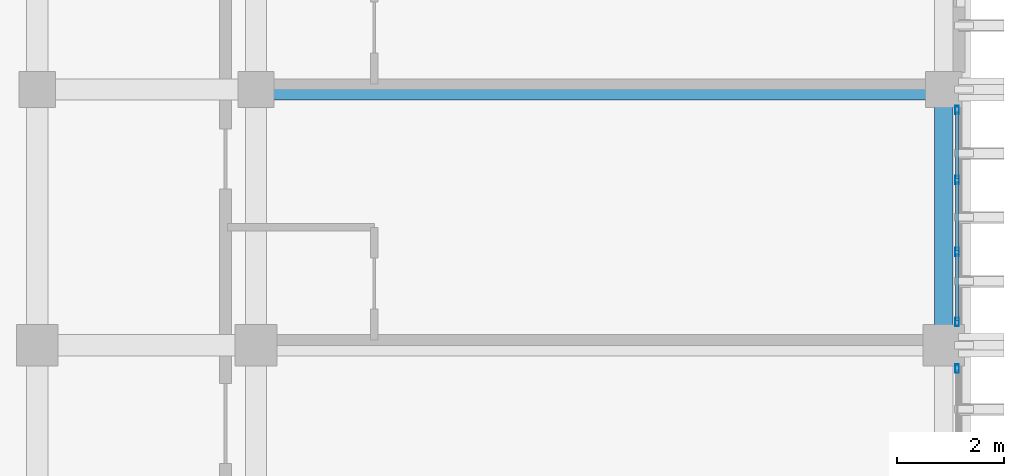
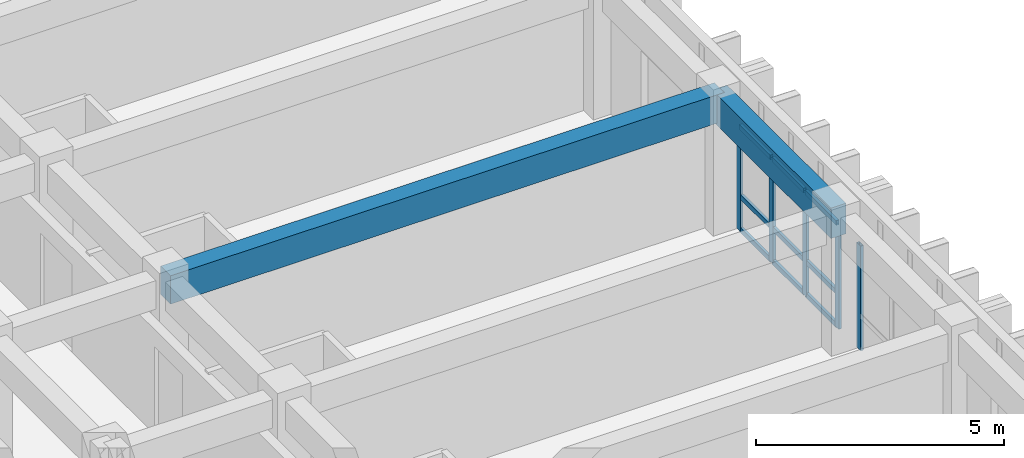
# One storey, part 47 of 68: 14 members, 2 beams, 2 elements without a shape of their own.
"""IFC4 building model written with IfcOpenShell, lengths in metres."""

from ifc_helpers import new_model, si_unit, direction, frame, origin, origin_2d, place, context, subcontext, project, spatial, rectangle, hollow_rectangle, extrude, material, layer, layer_set, material_profile, profile_set, type_object, element, aggregate, save


model = new_model("IFC4")

# Units and contexts
model_context = context("Model", 3, precision=1e-05, world=origin(), true_north=direction((0.0, 1.0)))
body_context = subcontext(model_context, "Body", "Model", "MODEL_VIEW")
ifc_project = project(units=[si_unit("LENGTHUNIT", "METRE"), si_unit("AREAUNIT", "SQUARE_METRE"), si_unit("VOLUMEUNIT", "CUBIC_METRE"), si_unit("PLANEANGLEUNIT", "RADIAN"), si_unit("MASSUNIT", "GRAM", prefix="KILO")], contexts=[model_context])

# Site, building, storey
site_placement = place(None, origin())
site = spatial("IfcSite", under=ifc_project, at=site_placement, CompositionType="ELEMENT")
building_placement = place(site_placement, origin())
building = spatial("IfcBuilding", under=site, at=building_placement, Name="Nakhvara Creek Congress Hotel", CompositionType="ELEMENT")
storey_placement = place(building_placement, frame((0.0, 0.0, 24.60009765625)))
storey = spatial("IfcBuildingStorey", under=building, at=storey_placement, Name="L05", CompositionType="ELEMENT", Elevation=24.60009765625)

# Beams
ifc_material_1 = material(Name="Concrete C40/50", Category="concrete")
ifc_material_profile_1 = material_profile(ifc_material_1, rectangle(XDim=0.39990234375, YDim=0.699951171875, at=origin_2d()), Name="RC-BM 400x700", Category="LoadBearing")
ifc_profile_set_1 = profile_set([ifc_material_profile_1], Name="Concrete C40/50")
beam_type_1 = type_object("IfcBeamType", Name="BM-RC-400X700", PredefinedType="BEAM", material=ifc_profile_set_1)
beam_1_placement = place(storey_placement, frame((166.449951171875, 110.39990234375, 2.989990234375), z_axis=(1.0, 0.0, 0.0), x_axis=(0.0, 1.0, 0.0)))
element("IfcBeam", 1, at=beam_1_placement, inside=storey, type_object=beam_type_1, Name="Beam B05-L05-2191", PredefinedType="BEAM", context=body_context, shape_type="SweptSolid", body=[
    extrude(rectangle(XDim=0.39990234375, YDim=0.699951171875, at=origin_2d()), origin(), (0.0, 0.0, 1.0), 12.900146484375),
])
ifc_material_profile_2 = material_profile(ifc_material_1, rectangle(XDim=0.35009765625, YDim=0.75, at=origin_2d()), Name="RC-SPANDREL 350x750", Category="LoadBearing")
ifc_profile_set_2 = profile_set([ifc_material_profile_2], Name="Concrete C40/50")
beam_type_2 = type_object("IfcBeamType", Name="BM-SPN-350X750", PredefinedType="SPANDREL", material=ifc_profile_set_2)
beam_2_placement = place(storey_placement, frame((179.35009765625, 105.60009765625, 2.96484375), z_axis=(0.0, 1.0, 0.0), x_axis=(-1.0, 0.0, 0.0)))
element("IfcBeam", 2, at=beam_2_placement, inside=storey, type_object=beam_type_2, Name="Beam SP1-L05-2163", PredefinedType="SPANDREL", context=body_context, shape_type="SweptSolid", body=[
    extrude(rectangle(XDim=0.35009765625, YDim=0.75, at=origin_2d()), origin(), (0.0, 0.0, 1.0), 4.7998046875),
])

# Curtain wall, member
ifc_material_2 = material(Name="Bronze-anodised aluminium AW-6063-T6 and double-silver low-E glass", Category="aluminium")
ifc_layer = layer(ifc_material_2, 0.199951171875)
ifc_layer_set = layer_set([ifc_layer], Name="Bronze-anodised aluminium AW-6063-T6 and double-silver low-E glass")
curtain_wall_type = type_object("IfcCurtainWallType", Name="CW-HTL-UNIT", PredefinedType="USERDEFINED", material=ifc_layer_set)
curtain_wall_1_placement = place(storey_placement, origin())
curtain_wall_1 = element("IfcCurtainWall", 3, at=curtain_wall_1_placement, inside=storey, type_object=curtain_wall_type, Name="Curtain Wall CW222", ObjectType="UNITISED", PredefinedType="USERDEFINED")
ifc_material_3 = material(Name="Bronze-anodised aluminium AW-6063-T6", Category="aluminium")
ifc_material_profile_3 = material_profile(ifc_material_3, hollow_rectangle(XDim=0.06494140625, YDim=0.159912109375, WallThickness=0.00390625, at=origin_2d()), Name="ALU-MULL 65x160x4", Category="LoadBearing")
ifc_profile_set_3 = profile_set([ifc_material_profile_3], Name="Bronze-anodised aluminium AW-6063-T6")
member_type_1 = type_object("IfcMemberType", Name="CW-MULL-160", PredefinedType="MULLION", material=ifc_profile_set_3)
member_1_placement = place(storey_placement, frame((179.60009765625, 105.16259765625, 0.0), z_axis=(0.0, 0.0, 1.0), x_axis=(1.0, 0.0, 0.0)))
member_1 = element("IfcMember", 4, at=member_1_placement, type_object=member_type_1, Name="CW222 mullion 1", PredefinedType="MULLION", context=body_context, shape_type="SweptSolid", body=[
    extrude(hollow_rectangle(XDim=0.06494140625, YDim=0.159912109375, WallThickness=0.00390625, at=origin_2d()), origin(), (0.0, 0.0, 1.0), 2.581787109375),
])
aggregate(curtain_wall_1, [member_1])

# Curtain wall, members
curtain_wall_2_placement = place(storey_placement, origin())
curtain_wall_2 = element("IfcCurtainWall", 5, at=curtain_wall_2_placement, inside=storey, type_object=curtain_wall_type, Name="Curtain Wall CW224", ObjectType="UNITISED", PredefinedType="USERDEFINED")
member_2_placement = place(storey_placement, frame((179.60009765625, 110.012451171875, 0.0), z_axis=(0.0, 0.0, 1.0), x_axis=(1.0, 0.0, 0.0)))
member_2 = element("IfcMember", 6, at=member_2_placement, type_object=member_type_1, Name="CW224 mullion 1", PredefinedType="MULLION", context=body_context, shape_type="SweptSolid", body=[
    extrude(hollow_rectangle(XDim=0.06494140625, YDim=0.159912109375, WallThickness=0.00390625, at=origin_2d()), origin(), (0.0, 0.0, 1.0), 2.581787109375),
])
member_3_placement = place(storey_placement, frame((179.60009765625, 108.6982421875, 0.0), z_axis=(0.0, 0.0, 1.0), x_axis=(1.0, 0.0, 0.0)))
member_3 = element("IfcMember", 7, at=member_3_placement, type_object=member_type_1, Name="CW224 mullion 2", PredefinedType="MULLION", context=body_context, shape_type="SweptSolid", body=[
    extrude(hollow_rectangle(XDim=0.06494140625, YDim=0.159912109375, WallThickness=0.00390625, at=origin_2d()), origin(), (0.0, 0.0, 1.0), 2.581787109375),
])
member_4_placement = place(storey_placement, frame((179.60009765625, 107.3515625, 0.0), z_axis=(0.0, 0.0, 1.0), x_axis=(1.0, 0.0, 0.0)))
member_4 = element("IfcMember", 8, at=member_4_placement, type_object=member_type_1, Name="CW224 mullion 3", PredefinedType="MULLION", context=body_context, shape_type="SweptSolid", body=[
    extrude(hollow_rectangle(XDim=0.06494140625, YDim=0.159912109375, WallThickness=0.00390625, at=origin_2d()), origin(), (0.0, 0.0, 1.0), 2.581787109375),
])
member_5_placement = place(storey_placement, frame((179.60009765625, 106.03759765625, 0.0), z_axis=(0.0, 0.0, 1.0), x_axis=(1.0, 0.0, 0.0)))
member_5 = element("IfcMember", 9, at=member_5_placement, type_object=member_type_1, Name="CW224 mullion 4", PredefinedType="MULLION", context=body_context, shape_type="SweptSolid", body=[
    extrude(hollow_rectangle(XDim=0.06494140625, YDim=0.159912109375, WallThickness=0.00390625, at=origin_2d()), origin(), (0.0, 0.0, 1.0), 2.581787109375),
])
ifc_material_profile_4 = material_profile(ifc_material_3, hollow_rectangle(XDim=0.06494140625, YDim=0.1201171875, WallThickness=0.00390625, at=origin_2d()), Name="ALU-TRAN 65x120x4", Category="LoadBearing")
ifc_profile_set_4 = profile_set([ifc_material_profile_4], Name="Bronze-anodised aluminium AW-6063-T6")
member_type_2 = type_object("IfcMemberType", Name="CW-TRAN-120", PredefinedType="USERDEFINED", material=ifc_profile_set_4)
member_6_placement = place(storey_placement, frame((179.60009765625, 109.97998046875, 0.032470703125), z_axis=(0.0, -1.0, 0.0), x_axis=(1.0, 0.0, 0.0)))
member_6 = element("IfcMember", 10, at=member_6_placement, type_object=member_type_2, Name="CW224 transom 1.1", ObjectType="TRANSOM", PredefinedType="USERDEFINED", context=body_context, shape_type="SweptSolid", body=[
    extrude(hollow_rectangle(XDim=0.06494140625, YDim=0.1201171875, WallThickness=0.00390625, at=origin_2d()), origin(), (0.0, 0.0, 1.0), 1.249267578125),
])
member_7_placement = place(storey_placement, frame((179.60009765625, 109.97998046875, 0.849853515625), z_axis=(0.0, -1.0, 0.0), x_axis=(1.0, 0.0, 0.0)))
member_7 = element("IfcMember", 11, at=member_7_placement, type_object=member_type_2, Name="CW224 transom 1.2", ObjectType="TRANSOM", PredefinedType="USERDEFINED", context=body_context, shape_type="SweptSolid", body=[
    extrude(hollow_rectangle(XDim=0.06494140625, YDim=0.1201171875, WallThickness=0.00390625, at=origin_2d()), origin(), (0.0, 0.0, 1.0), 1.249267578125),
])
member_8_placement = place(storey_placement, frame((179.60009765625, 109.97998046875, 2.54931640625), z_axis=(0.0, -1.0, 0.0), x_axis=(1.0, 0.0, 0.0)))
member_8 = element("IfcMember", 12, at=member_8_placement, type_object=member_type_2, Name="CW224 transom 1.3", ObjectType="TRANSOM", PredefinedType="USERDEFINED", context=body_context, shape_type="SweptSolid", body=[
    extrude(hollow_rectangle(XDim=0.06494140625, YDim=0.1201171875, WallThickness=0.00390625, at=origin_2d()), origin(), (0.0, 0.0, 1.0), 1.249267578125),
])
member_9_placement = place(storey_placement, frame((179.60009765625, 108.665771484375, 0.032470703125), z_axis=(0.0, -1.0, 0.0), x_axis=(1.0, 0.0, 0.0)))
member_9 = element("IfcMember", 13, at=member_9_placement, type_object=member_type_2, Name="CW224 transom 2.1", ObjectType="TRANSOM", PredefinedType="USERDEFINED", context=body_context, shape_type="SweptSolid", body=[
    extrude(hollow_rectangle(XDim=0.06494140625, YDim=0.1201171875, WallThickness=0.00390625, at=origin_2d()), origin(), (0.0, 0.0, 1.0), 1.281494140625),
])
member_10_placement = place(storey_placement, frame((179.60009765625, 108.665771484375, 0.849853515625), z_axis=(0.0, -1.0, 0.0), x_axis=(1.0, 0.0, 0.0)))
member_10 = element("IfcMember", 14, at=member_10_placement, type_object=member_type_2, Name="CW224 transom 2.2", ObjectType="TRANSOM", PredefinedType="USERDEFINED", context=body_context, shape_type="SweptSolid", body=[
    extrude(hollow_rectangle(XDim=0.06494140625, YDim=0.1201171875, WallThickness=0.00390625, at=origin_2d()), origin(), (0.0, 0.0, 1.0), 1.281494140625),
])
member_11_placement = place(storey_placement, frame((179.60009765625, 108.665771484375, 2.54931640625), z_axis=(0.0, -1.0, 0.0), x_axis=(1.0, 0.0, 0.0)))
member_11 = element("IfcMember", 15, at=member_11_placement, type_object=member_type_2, Name="CW224 transom 2.3", ObjectType="TRANSOM", PredefinedType="USERDEFINED", context=body_context, shape_type="SweptSolid", body=[
    extrude(hollow_rectangle(XDim=0.06494140625, YDim=0.1201171875, WallThickness=0.00390625, at=origin_2d()), origin(), (0.0, 0.0, 1.0), 1.281494140625),
])
member_12_placement = place(storey_placement, frame((179.60009765625, 107.319091796875, 0.032470703125), z_axis=(0.0, -1.0, 0.0), x_axis=(1.0, 0.0, 0.0)))
member_12 = element("IfcMember", 16, at=member_12_placement, type_object=member_type_2, Name="CW224 transom 3.1", ObjectType="TRANSOM", PredefinedType="USERDEFINED", context=body_context, shape_type="SweptSolid", body=[
    extrude(hollow_rectangle(XDim=0.06494140625, YDim=0.1201171875, WallThickness=0.00390625, at=origin_2d()), origin(), (0.0, 0.0, 1.0), 1.2490234375),
])
member_13_placement = place(storey_placement, frame((179.60009765625, 107.319091796875, 0.849853515625), z_axis=(0.0, -1.0, 0.0), x_axis=(1.0, 0.0, 0.0)))
member_13 = element("IfcMember", 17, at=member_13_placement, type_object=member_type_2, Name="CW224 transom 3.2", ObjectType="TRANSOM", PredefinedType="USERDEFINED", context=body_context, shape_type="SweptSolid", body=[
    extrude(hollow_rectangle(XDim=0.06494140625, YDim=0.1201171875, WallThickness=0.00390625, at=origin_2d()), origin(), (0.0, 0.0, 1.0), 1.2490234375),
])
member_14_placement = place(storey_placement, frame((179.60009765625, 107.319091796875, 2.54931640625), z_axis=(0.0, -1.0, 0.0), x_axis=(1.0, 0.0, 0.0)))
member_14 = element("IfcMember", 18, at=member_14_placement, type_object=member_type_2, Name="CW224 transom 3.3", ObjectType="TRANSOM", PredefinedType="USERDEFINED", context=body_context, shape_type="SweptSolid", body=[
    extrude(hollow_rectangle(XDim=0.06494140625, YDim=0.1201171875, WallThickness=0.00390625, at=origin_2d()), origin(), (0.0, 0.0, 1.0), 1.2490234375),
])
aggregate(curtain_wall_2, [member_2, member_3, member_4, member_5, member_6, member_7, member_8, member_9, member_10, member_11, member_12, member_13, member_14])

save(model, "model.ifc")
